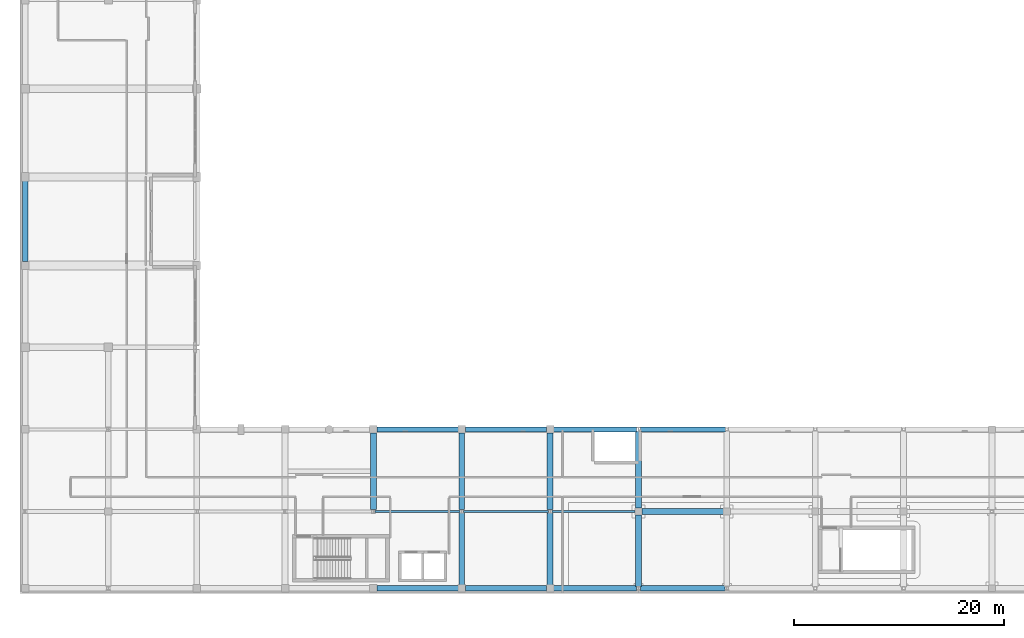
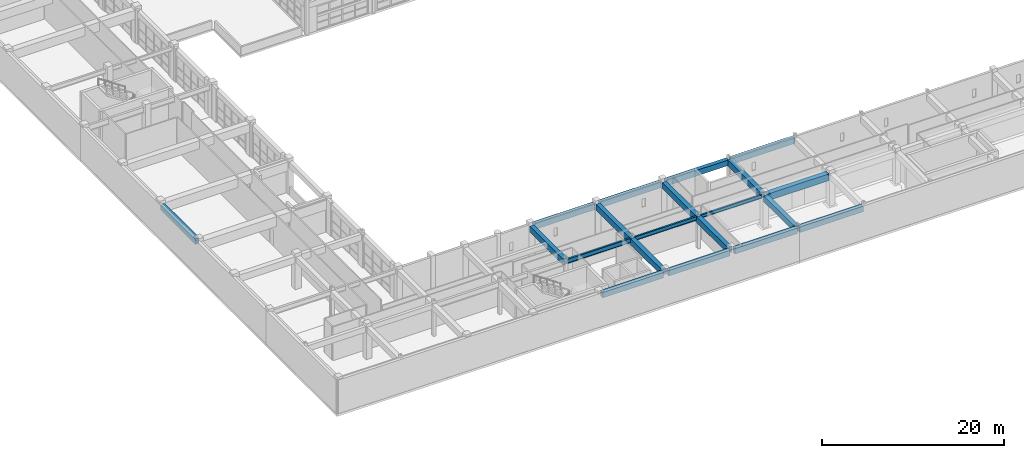
# One storey, part 18 of 123: 20 beams.
"""IFC4 building model written with IfcOpenShell, lengths in metres."""

from ifc_helpers import new_model, si_unit, direction, frame, origin, origin_2d, place, context, subcontext, project, spatial, rectangle, i_section, extrude, material, material_profile, profile_set, type_object, element, save


model = new_model("IFC4")

# Units and contexts
model_context = context("Model", 3, precision=1e-05, world=origin(), true_north=direction((0.0, 1.0)))
body_context = subcontext(model_context, "Body", "Model", "MODEL_VIEW")
ifc_project = project(units=[si_unit("LENGTHUNIT", "METRE"), si_unit("AREAUNIT", "SQUARE_METRE"), si_unit("VOLUMEUNIT", "CUBIC_METRE"), si_unit("PLANEANGLEUNIT", "RADIAN"), si_unit("MASSUNIT", "GRAM", prefix="KILO")], contexts=[model_context])

# Site, building, storey
site_placement = place(None, origin())
site = spatial("IfcSite", under=ifc_project, at=site_placement, CompositionType="ELEMENT")
building_placement = place(site_placement, origin())
building = spatial("IfcBuilding", under=site, at=building_placement, Name="Quendrovan Civic Courthouse", CompositionType="ELEMENT")
storey_placement = place(building_placement, frame((0.0, 0.0, 5.39990234375)))
storey = spatial("IfcBuildingStorey", under=building, at=storey_placement, Name="L02", CompositionType="ELEMENT", Elevation=5.39990234375)

# Beams
ifc_material_1 = material(Name="Concrete C40/50", Category="concrete")
ifc_material_profile_1 = material_profile(ifc_material_1, rectangle(XDim=0.5, YDim=0.75, at=origin_2d()), Name="RC-BM-500x750")
ifc_profile_set_1 = profile_set([ifc_material_profile_1], Name="Concrete C40/50")
beam_type_1 = type_object("IfcBeamType", Name="BM-RC750", PredefinedType="SPANDREL", material=ifc_profile_set_1)
for number, where, z_axis, x_axis, name in (
    (1, (33.929931640625, 0.5, 3.985107421875), (1.0, 0.0, 0.0), (0.0, 1.0, 0.0), "L02 Girder X0485"),
    (2, (42.330078125, 0.5, 3.985107421875), (1.0, 0.0, 0.0), (0.0, 1.0, 0.0), "L02 Girder X0486"),
):
    element("IfcBeam", number, at=place(storey_placement, frame(where, z_axis=z_axis, x_axis=x_axis)), inside=storey, type_object=beam_type_1, Name=name, PredefinedType="SPANDREL", context=body_context, shape_type="SweptSolid", body=[
        extrude(rectangle(XDim=0.5, YDim=0.75, at=origin_2d()), origin(), (0.0, 0.0, 1.0), 7.739990234375),
    ])
beam_1_placement = place(storey_placement, frame((50.72998046875, 0.5, 3.985107421875), z_axis=(1.0, 0.0, 0.0), x_axis=(0.0, 1.0, 0.0)))
element("IfcBeam", 3, at=beam_1_placement, inside=storey, type_object=beam_type_1, Name="L02 Girder X0487", PredefinedType="SPANDREL", context=body_context, shape_type="SweptSolid", body=[
    extrude(rectangle(XDim=0.5, YDim=0.75, at=origin_2d()), origin(), (0.0, 0.0, 1.0), 7.903076171875),
])
beam_2_placement = place(storey_placement, frame((58.967041015625, 0.5, 3.985107421875), z_axis=(1.0, 0.0, 0.0), x_axis=(0.0, 1.0, 0.0)))
element("IfcBeam", 4, at=beam_2_placement, inside=storey, type_object=beam_type_1, Name="L02 Girder X0488", PredefinedType="SPANDREL", context=body_context, shape_type="SweptSolid", body=[
    extrude(rectangle(XDim=0.5, YDim=0.75, at=origin_2d()), origin(), (0.0, 0.0, 1.0), 8.06591796875),
])
for number, where, z_axis, x_axis, name in (
    (5, (33.929931640625, 15.60009765625, 3.985107421875), (1.0, 0.0, 0.0), (0.0, 1.0, 0.0), "L02 Girder X0513"),
    (6, (42.330078125, 15.60009765625, 3.985107421875), (1.0, 0.0, 0.0), (0.0, 1.0, 0.0), "L02 Girder X0514"),
):
    element("IfcBeam", number, at=place(storey_placement, frame(where, z_axis=z_axis, x_axis=x_axis)), inside=storey, type_object=beam_type_1, Name=name, PredefinedType="SPANDREL", context=body_context, shape_type="SweptSolid", body=[
        extrude(rectangle(XDim=0.5, YDim=0.75, at=origin_2d()), origin(), (0.0, 0.0, 1.0), 7.739990234375),
    ])
beam_3_placement = place(storey_placement, frame((50.72998046875, 15.60009765625, 3.985107421875), z_axis=(1.0, 0.0, 0.0), x_axis=(0.0, 1.0, 0.0)))
element("IfcBeam", 7, at=beam_3_placement, inside=storey, type_object=beam_type_1, Name="L02 Girder X0515", PredefinedType="SPANDREL", context=body_context, shape_type="SweptSolid", body=[
    extrude(rectangle(XDim=0.5, YDim=0.75, at=origin_2d()), origin(), (0.0, 0.0, 1.0), 7.903076171875),
])
beam_4_placement = place(storey_placement, frame((58.967041015625, 15.60009765625, 3.985107421875), z_axis=(1.0, 0.0, 0.0), x_axis=(0.0, 1.0, 0.0)))
element("IfcBeam", 8, at=beam_4_placement, inside=storey, type_object=beam_type_1, Name="L02 Girder X0516", PredefinedType="SPANDREL", context=body_context, shape_type="SweptSolid", body=[
    extrude(rectangle(XDim=0.5, YDim=0.75, at=origin_2d()), origin(), (0.0, 0.0, 1.0), 8.10302734375),
])
beam_5_placement = place(storey_placement, frame((0.5, 31.554931640625, 3.985107421875), z_axis=(0.0, 1.0, 0.0), x_axis=(-1.0, 0.0, 0.0)))
element("IfcBeam", 9, at=beam_5_placement, inside=storey, type_object=beam_type_1, Name="L02 Girder Y0609", PredefinedType="SPANDREL", context=body_context, shape_type="SweptSolid", body=[
    extrude(rectangle(XDim=0.5, YDim=0.75, at=origin_2d()), origin(), (0.0, 0.0, 1.0), 7.64013671875),
])
ifc_material_profile_2 = material_profile(ifc_material_1, rectangle(XDim=0.550048828125, YDim=0.800048828125, at=origin_2d()), Name="RC-BM-550x800")
ifc_profile_set_2 = profile_set([ifc_material_profile_2], Name="Concrete C40/50")
beam_type_2 = type_object("IfcBeamType", Name="BM-RC800", PredefinedType="BEAM", material=ifc_profile_set_2)
beam_6_placement = place(storey_placement, frame((33.60009765625, 7.966064453125, 3.960205078125), z_axis=(0.0, 1.0, 0.0), x_axis=(-1.0, 0.0, 0.0)))
element("IfcBeam", 10, at=beam_6_placement, inside=storey, type_object=beam_type_2, Name="L02 Girder Y0636", PredefinedType="BEAM", context=body_context, shape_type="SweptSolid", body=[
    extrude(rectangle(XDim=0.550048828125, YDim=0.800048828125, at=origin_2d()), origin(), (0.0, 0.0, 1.0), 7.303955078125),
])
beam_7_placement = place(storey_placement, frame((42.0, 0.830078125, 3.960205078125), z_axis=(0.0, 1.0, 0.0), x_axis=(-1.0, 0.0, 0.0)))
element("IfcBeam", 11, at=beam_7_placement, inside=storey, type_object=beam_type_2, Name="L02 Girder Y0643", PredefinedType="BEAM", context=body_context, shape_type="SweptSolid", body=[
    extrude(rectangle(XDim=0.550048828125, YDim=0.800048828125, at=origin_2d()), origin(), (0.0, 0.0, 1.0), 6.803955078125),
])
beam_8_placement = place(storey_placement, frame((42.0, 7.966064453125, 3.960205078125), z_axis=(0.0, 1.0, 0.0), x_axis=(-1.0, 0.0, 0.0)))
element("IfcBeam", 12, at=beam_8_placement, inside=storey, type_object=beam_type_2, Name="L02 Girder Y0644", PredefinedType="BEAM", context=body_context, shape_type="SweptSolid", body=[
    extrude(rectangle(XDim=0.550048828125, YDim=0.800048828125, at=origin_2d()), origin(), (0.0, 0.0, 1.0), 7.303955078125),
])
beam_9_placement = place(storey_placement, frame((50.39990234375, 0.830078125, 3.960205078125), z_axis=(0.0, 1.0, 0.0), x_axis=(-1.0, 0.0, 0.0)))
element("IfcBeam", 13, at=beam_9_placement, inside=storey, type_object=beam_type_2, Name="L02 Girder Y0648", PredefinedType="BEAM", context=body_context, shape_type="SweptSolid", body=[
    extrude(rectangle(XDim=0.550048828125, YDim=0.800048828125, at=origin_2d()), origin(), (0.0, 0.0, 1.0), 6.803955078125),
])
beam_10_placement = place(storey_placement, frame((50.39990234375, 7.966064453125, 3.960205078125), z_axis=(0.0, 1.0, 0.0), x_axis=(-1.0, 0.0, 0.0)))
element("IfcBeam", 14, at=beam_10_placement, inside=storey, type_object=beam_type_2, Name="L02 Girder Y0649", PredefinedType="BEAM", context=body_context, shape_type="SweptSolid", body=[
    extrude(rectangle(XDim=0.550048828125, YDim=0.800048828125, at=origin_2d()), origin(), (0.0, 0.0, 1.0), 7.303955078125),
])
beam_11_placement = place(storey_placement, frame((58.800048828125, 0.666015625, 3.960205078125), z_axis=(0.0, 1.0, 0.0), x_axis=(-1.0, 0.0, 0.0)))
element("IfcBeam", 15, at=beam_11_placement, inside=storey, type_object=beam_type_2, Name="L02 Girder Y0655", PredefinedType="BEAM", context=body_context, shape_type="SweptSolid", body=[
    extrude(rectangle(XDim=0.550048828125, YDim=0.800048828125, at=origin_2d()), origin(), (0.0, 0.0, 1.0), 6.803955078125),
])
beam_12_placement = place(storey_placement, frame((58.800048828125, 8.1298828125, 3.960205078125), z_axis=(0.0, 1.0, 0.0), x_axis=(-1.0, 0.0, 0.0)))
element("IfcBeam", 16, at=beam_12_placement, inside=storey, type_object=beam_type_2, Name="L02 Girder Y0656", PredefinedType="BEAM", context=body_context, shape_type="SweptSolid", body=[
    extrude(rectangle(XDim=0.550048828125, YDim=0.800048828125, at=origin_2d()), origin(), (0.0, 0.0, 1.0), 7.30419921875),
])
ifc_material_profile_3 = material_profile(ifc_material_1, rectangle(XDim=0.60009765625, YDim=0.89990234375, at=origin_2d()), Name="RC-BM-600x900")
ifc_profile_set_3 = profile_set([ifc_material_profile_3], Name="Concrete C40/50")
beam_type_3 = type_object("IfcBeamType", Name="BM-RC900", PredefinedType="BEAM", material=ifc_profile_set_3)
beam_13_placement = place(storey_placement, frame((59.1298828125, 7.800048828125, 3.91015625), z_axis=(1.0, 0.0, 0.0), x_axis=(0.0, 1.0, 0.0)))
element("IfcBeam", 17, at=beam_13_placement, inside=storey, type_object=beam_type_3, Name="L02 Girder X0501", PredefinedType="BEAM", context=body_context, shape_type="SweptSolid", body=[
    extrude(rectangle(XDim=0.60009765625, YDim=0.89990234375, at=origin_2d()), origin(), (0.0, 0.0, 1.0), 7.740234375),
])
ifc_material_2 = material(Name="Steel ASTM A992 Grade 50", Category="steel")
ifc_material_profile_4 = material_profile(ifc_material_2, i_section(OverallWidth=0.18994140625, OverallDepth=0.45703125, WebThickness=0.009033203125, FlangeThickness=0.014404296875, at=origin_2d()), Name="W18X50")
ifc_profile_set_4 = profile_set([ifc_material_profile_4], Name="Steel ASTM A992 Grade 50")
beam_type_4 = type_object("IfcBeamType", Name="BM-STL-W18", PredefinedType="JOIST", material=ifc_profile_set_4)
beam_14_placement = place(storey_placement, frame((50.56689453125, 7.800048828125, 4.131591796875), z_axis=(1.0, 0.0, 0.0), x_axis=(0.0, 1.0, 0.0)))
element("IfcBeam", 18, at=beam_14_placement, inside=storey, type_object=beam_type_4, Name="L02 Girder X0500", PredefinedType="JOIST", context=body_context, shape_type="SweptSolid", body=[
    extrude(i_section(OverallWidth=0.18994140625, OverallDepth=0.45703125, WebThickness=0.009033203125, FlangeThickness=0.014404296875, at=origin_2d()), origin(), (0.0, 0.0, 1.0), 7.903076171875),
])
ifc_material_profile_5 = material_profile(ifc_material_2, i_section(OverallWidth=0.208984375, OverallDepth=0.532958984375, WebThickness=0.01025390625, FlangeThickness=0.015625, at=origin_2d()), Name="W21X62")
ifc_profile_set_5 = profile_set([ifc_material_profile_5], Name="Steel ASTM A992 Grade 50")
beam_type_5 = type_object("IfcBeamType", Name="BM-STL-W21", PredefinedType="JOIST", material=ifc_profile_set_5)
beam_15_placement = place(storey_placement, frame((42.1669921875, 7.800048828125, 4.093505859375), z_axis=(1.0, 0.0, 0.0), x_axis=(0.0, 1.0, 0.0)))
element("IfcBeam", 19, at=beam_15_placement, inside=storey, type_object=beam_type_5, Name="L02 Girder X0499", PredefinedType="JOIST", context=body_context, shape_type="SweptSolid", body=[
    extrude(i_section(OverallWidth=0.208984375, OverallDepth=0.532958984375, WebThickness=0.01025390625, FlangeThickness=0.015625, at=origin_2d()), origin(), (0.0, 0.0, 1.0), 8.06591796875),
])
ifc_material_profile_6 = material_profile(ifc_material_2, i_section(OverallWidth=0.22802734375, OverallDepth=0.60693359375, WebThickness=0.01123046875, FlangeThickness=0.017333984375, at=origin_2d()), Name="W24X76")
ifc_profile_set_6 = profile_set([ifc_material_profile_6], Name="Steel ASTM A992 Grade 50")
beam_type_6 = type_object("IfcBeamType", Name="BM-STL-W24", PredefinedType="BEAM", material=ifc_profile_set_6)
beam_16_placement = place(storey_placement, frame((33.76708984375, 7.800048828125, 4.056640625), z_axis=(1.0, 0.0, 0.0), x_axis=(0.0, 1.0, 0.0)))
element("IfcBeam", 20, at=beam_16_placement, inside=storey, type_object=beam_type_6, Name="L02 Girder X0498", PredefinedType="BEAM", context=body_context, shape_type="SweptSolid", body=[
    extrude(i_section(OverallWidth=0.22802734375, OverallDepth=0.60693359375, WebThickness=0.01123046875, FlangeThickness=0.017333984375, at=origin_2d()), origin(), (0.0, 0.0, 1.0), 8.06591796875),
])

save(model, "model.ifc")
